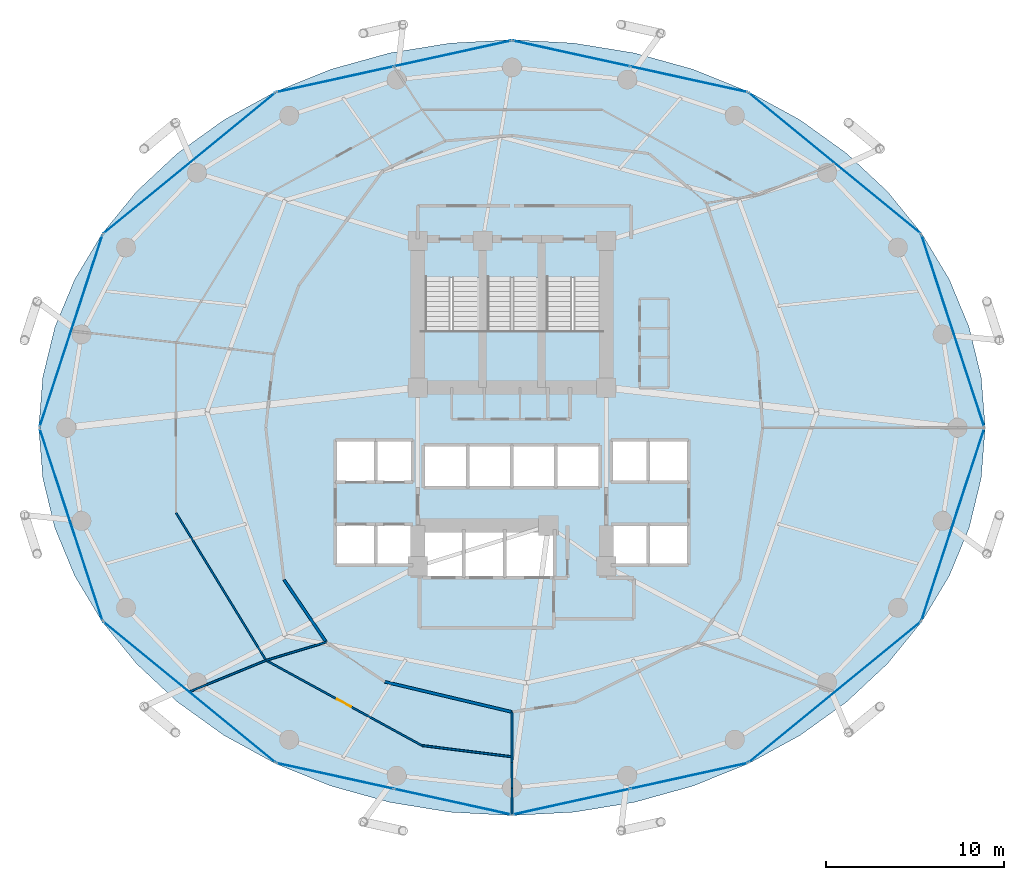
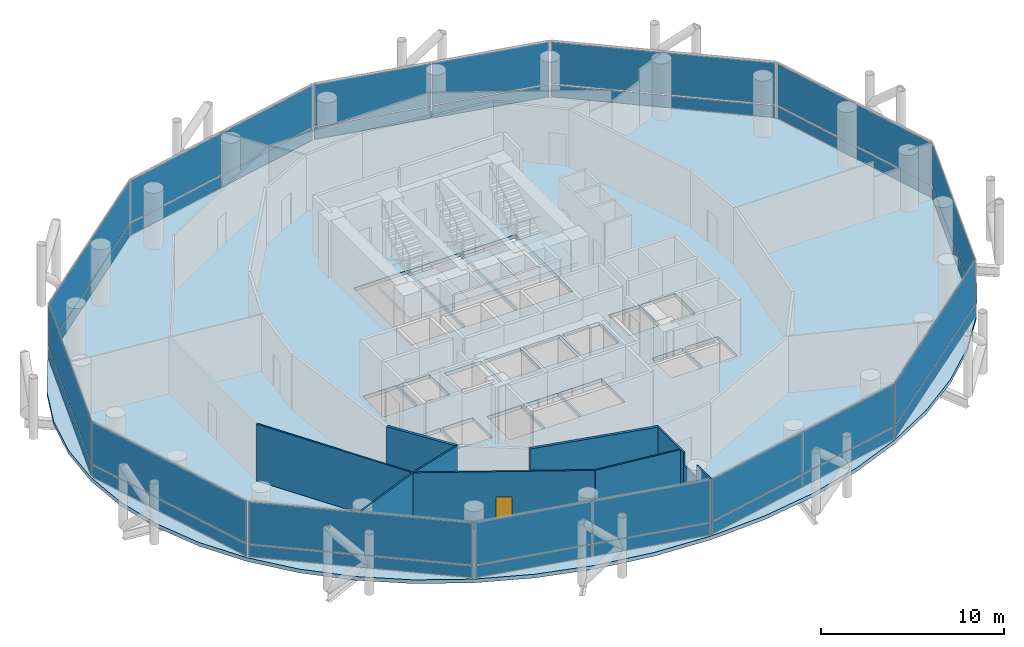
# One storey, part 20 of 25: 32 plates, 10 walls, 4 slabs, 1 door, 1 opening, 15 elements without a shape of their own.
"""IFC4 building model written with IfcOpenShell, lengths in metres."""

from ifc_helpers import new_model, si_unit, direction, frame, frame_2d, origin, origin_2d, place, context, subcontext, project, spatial, polyline, rectangle, outline, extrude, material, layer, layer_set, type_object, element, fill, aggregate, save


model = new_model("IFC4")

# Units and contexts
model_context = context("Model", 3, precision=1e-05, world=origin(), true_north=direction((0.0, 1.0)))
body_context = subcontext(model_context, "Body", "Model", "MODEL_VIEW")
ifc_project = project(units=[si_unit("LENGTHUNIT", "METRE"), si_unit("AREAUNIT", "SQUARE_METRE"), si_unit("VOLUMEUNIT", "CUBIC_METRE"), si_unit("PLANEANGLEUNIT", "RADIAN"), si_unit("MASSUNIT", "GRAM", prefix="KILO")], contexts=[model_context])

# Site, building, storey
site_placement = place(None, origin())
site = spatial("IfcSite", under=ifc_project, at=site_placement, CompositionType="ELEMENT")
building_placement = place(site_placement, origin())
building = spatial("IfcBuilding", under=site, at=building_placement, Name="Nuhasar Tower", CompositionType="ELEMENT")
storey_placement = place(building_placement, frame((0.0, 0.0, 61.5)))
storey = spatial("IfcBuildingStorey", under=building, at=storey_placement, Name="L14", CompositionType="ELEMENT", Elevation=61.5)

# Curtain wall, plate
ifc_material_1 = material(Name="Aluminium 6063-T6", Category="aluminium")
ifc_layer_1 = layer(ifc_material_1, 0.199951171875)
ifc_layer_set_1 = layer_set([ifc_layer_1], Name="Aluminium 6063-T6")
curtain_wall_type = type_object("IfcCurtainWallType", Name="CW-Z1-OFF", PredefinedType="NOTDEFINED", material=ifc_layer_set_1)
curtain_wall_1_placement = place(storey_placement, origin())
curtain_wall_1 = element("IfcCurtainWall", 1, at=curtain_wall_1_placement, inside=storey, type_object=curtain_wall_type, Name="L14 Unitised Curtain Wall 01", PredefinedType="NOTDEFINED")
ifc_material_2 = material(Name="Glass Double Low-E", Category="glass")
ifc_layer_2 = layer(ifc_material_2, 0.028076171875)
ifc_layer_set_2 = layer_set([ifc_layer_2], Name="Glass Double Low-E")
plate_type_1 = type_object("IfcPlateType", Name="CW-PANEL-GLZ", PredefinedType="CURTAIN_PANEL", material=ifc_layer_set_2)
plate_1_placement = place(storey_placement, frame((63.781005859375, 32.239990234375, 0.9326171875), z_axis=(0.0, 0.0, 1.0), x_axis=(-0.310823849997, 0.950467534571, 0.0)))
plate_1 = element("IfcPlate", 2, at=plate_1_placement, type_object=plate_type_1, Name="CW-Z1 panel 1.2", PredefinedType="CURTAIN_PANEL", context=body_context, shape_type="SweptSolid", body=[
    extrude(rectangle(XDim=11.31689453125, YDim=0.028076171875, at=origin_2d()), origin(), (0.0, 0.0, 1.0), 2.802490234375),
])

curtain_wall_2_placement = place(storey_placement, origin())
curtain_wall_2 = element("IfcCurtainWall", 3, at=curtain_wall_2_placement, inside=storey, type_object=curtain_wall_type, Name="L14 Unitised Curtain Wall 02", PredefinedType="NOTDEFINED")
plate_2_placement = place(storey_placement, frame((57.14111328125, 41.66259765625, 0.9326171875), z_axis=(0.0, 0.0, 1.0), x_axis=(-0.773542364946, 0.633744593376, 0.0)))
plate_2 = element("IfcPlate", 4, at=plate_2_placement, type_object=plate_type_1, Name="CW-Z1 panel 1.2", PredefinedType="CURTAIN_PANEL", context=body_context, shape_type="SweptSolid", body=[
    extrude(rectangle(XDim=12.438232421875, YDim=0.028076171875, at=origin_2d()), origin(), (0.0, 0.0, 1.0), 2.802490234375),
])

# Curtain wall, plates
curtain_wall_3_placement = place(storey_placement, origin())
curtain_wall_3 = element("IfcCurtainWall", 5, at=curtain_wall_3_placement, inside=storey, type_object=curtain_wall_type, Name="L14 Unitised Curtain Wall 03", PredefinedType="NOTDEFINED")
plate_3_placement = place(storey_placement, frame((48.944091796875, 46.377197265625, 0.9326171875), z_axis=(0.0, 0.0, 1.0), x_axis=(-0.976746221544, 0.214398737637, 0.0)))
plate_3 = element("IfcPlate", 6, at=plate_3_placement, type_object=plate_type_1, Name="CW-Z1 panel 1.2", PredefinedType="CURTAIN_PANEL", context=body_context, shape_type="SweptSolid", body=[
    extrude(rectangle(XDim=6.70068359375, YDim=0.028076171875, at=origin_2d()), origin(), (0.0, 0.0, 1.0), 2.802490234375),
])
plate_4_placement = place(storey_placement, frame((42.3359375, 47.827880859375, 0.9326171875), z_axis=(0.0, 0.0, 1.0), x_axis=(-0.976746221544, 0.214398737637, 0.0)))
plate_4 = element("IfcPlate", 7, at=plate_4_placement, type_object=plate_type_1, Name="CW-Z1 panel 2.2", PredefinedType="CURTAIN_PANEL", context=body_context, shape_type="SweptSolid", body=[
    extrude(rectangle(XDim=6.70068359375, YDim=0.028076171875, at=origin_2d()), origin(), (0.0, 0.0, 1.0), 2.802490234375),
])

curtain_wall_4_placement = place(storey_placement, origin())
curtain_wall_4 = element("IfcCurtainWall", 8, at=curtain_wall_4_placement, inside=storey, type_object=curtain_wall_type, Name="L14 Unitised Curtain Wall 04", PredefinedType="NOTDEFINED")
plate_5_placement = place(storey_placement, frame((35.6640625, 47.827880859375, 0.9326171875), z_axis=(0.0, 0.0, 1.0), x_axis=(-0.976746221544, -0.214398737637, 0.0)))
plate_5 = element("IfcPlate", 9, at=plate_5_placement, type_object=plate_type_1, Name="CW-Z1 panel 1.2", PredefinedType="CURTAIN_PANEL", context=body_context, shape_type="SweptSolid", body=[
    extrude(rectangle(XDim=6.70068359375, YDim=0.028076171875, at=origin_2d()), origin(), (0.0, 0.0, 1.0), 2.802490234375),
])
plate_6_placement = place(storey_placement, frame((29.055908203125, 46.377197265625, 0.9326171875), z_axis=(0.0, 0.0, 1.0), x_axis=(-0.976746221544, -0.214398737637, 0.0)))
plate_6 = element("IfcPlate", 10, at=plate_6_placement, type_object=plate_type_1, Name="CW-Z1 panel 2.2", PredefinedType="CURTAIN_PANEL", context=body_context, shape_type="SweptSolid", body=[
    extrude(rectangle(XDim=6.70068359375, YDim=0.028076171875, at=origin_2d()), origin(), (0.0, 0.0, 1.0), 2.802490234375),
])

# Curtain wall, plate
curtain_wall_5_placement = place(storey_placement, origin())
curtain_wall_5 = element("IfcCurtainWall", 11, at=curtain_wall_5_placement, inside=storey, type_object=curtain_wall_type, Name="L14 Unitised Curtain Wall 05", PredefinedType="NOTDEFINED")
plate_7_placement = place(storey_placement, frame((20.85888671875, 41.66259765625, 0.9326171875), z_axis=(0.0, 0.0, 1.0), x_axis=(-0.773542364946, -0.633744593376, 0.0)))
plate_7 = element("IfcPlate", 12, at=plate_7_placement, type_object=plate_type_1, Name="CW-Z1 panel 1.2", PredefinedType="CURTAIN_PANEL", context=body_context, shape_type="SweptSolid", body=[
    extrude(rectangle(XDim=12.438232421875, YDim=0.028076171875, at=origin_2d()), origin(), (0.0, 0.0, 1.0), 2.802490234375),
])

curtain_wall_6_placement = place(storey_placement, origin())
curtain_wall_6 = element("IfcCurtainWall", 13, at=curtain_wall_6_placement, inside=storey, type_object=curtain_wall_type, Name="L14 Unitised Curtain Wall 06", PredefinedType="NOTDEFINED")
plate_8_placement = place(storey_placement, frame((14.218994140625, 32.239990234375, 0.9326171875), z_axis=(0.0, 0.0, 1.0), x_axis=(-0.310823849997, -0.950467534571, 0.0)))
plate_8 = element("IfcPlate", 14, at=plate_8_placement, type_object=plate_type_1, Name="CW-Z1 panel 1.2", PredefinedType="CURTAIN_PANEL", context=body_context, shape_type="SweptSolid", body=[
    extrude(rectangle(XDim=11.31689453125, YDim=0.028076171875, at=origin_2d()), origin(), (0.0, 0.0, 1.0), 2.802490234375),
])

curtain_wall_7_placement = place(storey_placement, origin())
curtain_wall_7 = element("IfcCurtainWall", 15, at=curtain_wall_7_placement, inside=storey, type_object=curtain_wall_type, Name="L14 Unitised Curtain Wall 07", PredefinedType="NOTDEFINED")
plate_9_placement = place(storey_placement, frame((14.218994140625, 21.360107421875, 0.9326171875), z_axis=(0.0, 0.0, 1.0), x_axis=(0.310823849997, -0.950467534571, 0.0)))
plate_9 = element("IfcPlate", 16, at=plate_9_placement, type_object=plate_type_1, Name="CW-Z1 panel 1.2", PredefinedType="CURTAIN_PANEL", context=body_context, shape_type="SweptSolid", body=[
    extrude(rectangle(XDim=11.31689453125, YDim=0.028076171875, at=origin_2d()), origin(), (0.0, 0.0, 1.0), 2.802490234375),
])

curtain_wall_8_placement = place(storey_placement, origin())
curtain_wall_8 = element("IfcCurtainWall", 17, at=curtain_wall_8_placement, inside=storey, type_object=curtain_wall_type, Name="L14 Unitised Curtain Wall 08", PredefinedType="NOTDEFINED")
plate_10_placement = place(storey_placement, frame((20.85888671875, 11.9375, 0.9326171875), z_axis=(0.0, 0.0, 1.0), x_axis=(0.773542364946, -0.633744593376, 0.0)))
plate_10 = element("IfcPlate", 18, at=plate_10_placement, type_object=plate_type_1, Name="CW-Z1 panel 1.2", PredefinedType="CURTAIN_PANEL", context=body_context, shape_type="SweptSolid", body=[
    extrude(rectangle(XDim=12.438232421875, YDim=0.028076171875, at=origin_2d()), origin(), (0.0, 0.0, 1.0), 2.802490234375),
])

# Curtain wall, plates
curtain_wall_9_placement = place(storey_placement, origin())
curtain_wall_9 = element("IfcCurtainWall", 19, at=curtain_wall_9_placement, inside=storey, type_object=curtain_wall_type, Name="L14 Unitised Curtain Wall 09", PredefinedType="NOTDEFINED")
plate_11_placement = place(storey_placement, frame((29.055908203125, 7.22265625, 0.9326171875), z_axis=(0.0, 0.0, 1.0), x_axis=(0.976746221544, -0.214398737637, 0.0)))
plate_11 = element("IfcPlate", 20, at=plate_11_placement, type_object=plate_type_1, Name="CW-Z1 panel 1.2", PredefinedType="CURTAIN_PANEL", context=body_context, shape_type="SweptSolid", body=[
    extrude(rectangle(XDim=6.70068359375, YDim=0.028076171875, at=origin_2d()), origin(), (0.0, 0.0, 1.0), 2.802490234375),
])
plate_12_placement = place(storey_placement, frame((35.6640625, 5.772216796875, 0.9326171875), z_axis=(0.0, 0.0, 1.0), x_axis=(0.976746221544, -0.214398737637, 0.0)))
plate_12 = element("IfcPlate", 21, at=plate_12_placement, type_object=plate_type_1, Name="CW-Z1 panel 2.2", PredefinedType="CURTAIN_PANEL", context=body_context, shape_type="SweptSolid", body=[
    extrude(rectangle(XDim=6.70068359375, YDim=0.028076171875, at=origin_2d()), origin(), (0.0, 0.0, 1.0), 2.802490234375),
])

curtain_wall_10_placement = place(storey_placement, origin())
curtain_wall_10 = element("IfcCurtainWall", 22, at=curtain_wall_10_placement, inside=storey, type_object=curtain_wall_type, Name="L14 Unitised Curtain Wall 10", PredefinedType="NOTDEFINED")
plate_13_placement = place(storey_placement, frame((42.3359375, 5.772216796875, 0.9326171875), z_axis=(0.0, 0.0, 1.0), x_axis=(0.976746221544, 0.214398737637, 0.0)))
plate_13 = element("IfcPlate", 23, at=plate_13_placement, type_object=plate_type_1, Name="CW-Z1 panel 1.2", PredefinedType="CURTAIN_PANEL", context=body_context, shape_type="SweptSolid", body=[
    extrude(rectangle(XDim=6.70068359375, YDim=0.028076171875, at=origin_2d()), origin(), (0.0, 0.0, 1.0), 2.802490234375),
])
plate_14_placement = place(storey_placement, frame((48.944091796875, 7.22265625, 0.9326171875), z_axis=(0.0, 0.0, 1.0), x_axis=(0.976746221544, 0.214398737637, 0.0)))
plate_14 = element("IfcPlate", 24, at=plate_14_placement, type_object=plate_type_1, Name="CW-Z1 panel 2.2", PredefinedType="CURTAIN_PANEL", context=body_context, shape_type="SweptSolid", body=[
    extrude(rectangle(XDim=6.70068359375, YDim=0.028076171875, at=origin_2d()), origin(), (0.0, 0.0, 1.0), 2.802490234375),
])

# Curtain wall, plate
curtain_wall_11_placement = place(storey_placement, origin())
curtain_wall_11 = element("IfcCurtainWall", 25, at=curtain_wall_11_placement, inside=storey, type_object=curtain_wall_type, Name="L14 Unitised Curtain Wall 11", PredefinedType="NOTDEFINED")
plate_15_placement = place(storey_placement, frame((57.14111328125, 11.9375, 0.9326171875), z_axis=(0.0, 0.0, 1.0), x_axis=(0.773542364946, 0.633744593376, 0.0)))
plate_15 = element("IfcPlate", 26, at=plate_15_placement, type_object=plate_type_1, Name="CW-Z1 panel 1.2", PredefinedType="CURTAIN_PANEL", context=body_context, shape_type="SweptSolid", body=[
    extrude(rectangle(XDim=12.438232421875, YDim=0.028076171875, at=origin_2d()), origin(), (0.0, 0.0, 1.0), 2.802490234375),
])

curtain_wall_12_placement = place(storey_placement, origin())
curtain_wall_12 = element("IfcCurtainWall", 27, at=curtain_wall_12_placement, inside=storey, type_object=curtain_wall_type, Name="L14 Unitised Curtain Wall 12", PredefinedType="NOTDEFINED")
plate_16_placement = place(storey_placement, frame((63.781005859375, 21.360107421875, 0.9326171875), z_axis=(0.0, 0.0, 1.0), x_axis=(0.310823849997, 0.950467534571, 0.0)))
plate_16 = element("IfcPlate", 28, at=plate_16_placement, type_object=plate_type_1, Name="CW-Z1 panel 1.2", PredefinedType="CURTAIN_PANEL", context=body_context, shape_type="SweptSolid", body=[
    extrude(rectangle(XDim=11.31689453125, YDim=0.028076171875, at=origin_2d()), origin(), (0.0, 0.0, 1.0), 2.802490234375),
])

# Plate
ifc_material_3 = material(Name="Glass Spandrel", Category="glass")
ifc_layer_3 = layer(ifc_material_3, 0.035888671875)
ifc_layer_set_3 = layer_set([ifc_layer_3], Name="Glass Spandrel")
plate_type_2 = type_object("IfcPlateType", Name="CW-PANEL-SPN", PredefinedType="CURTAIN_PANEL", material=ifc_layer_set_3)
plate_17_placement = place(storey_placement, frame((63.781005859375, 32.239990234375, 0.06494140625), z_axis=(0.0, 0.0, 1.0), x_axis=(-0.310823849997, 0.950467534571, 0.0)))
plate_17 = element("IfcPlate", 29, at=plate_17_placement, type_object=plate_type_2, Name="CW-Z1 panel 1.1", PredefinedType="CURTAIN_PANEL", context=body_context, shape_type="SweptSolid", body=[
    extrude(rectangle(XDim=11.31689453125, YDim=0.035888671875, at=origin_2d()), origin(), (0.0, 0.0, 1.0), 0.802490234375),
])

aggregate(curtain_wall_1, [plate_17, plate_1])

plate_18_placement = place(storey_placement, frame((57.14111328125, 41.66259765625, 0.06494140625), z_axis=(0.0, 0.0, 1.0), x_axis=(-0.773542364946, 0.633744593376, 0.0)))
plate_18 = element("IfcPlate", 30, at=plate_18_placement, type_object=plate_type_2, Name="CW-Z1 panel 1.1", PredefinedType="CURTAIN_PANEL", context=body_context, shape_type="SweptSolid", body=[
    extrude(rectangle(XDim=12.438232421875, YDim=0.035888671875, at=origin_2d()), origin(), (0.0, 0.0, 1.0), 0.802490234375),
])

aggregate(curtain_wall_2, [plate_18, plate_2])

plate_19_placement = place(storey_placement, frame((48.944091796875, 46.377197265625, 0.06494140625), z_axis=(0.0, 0.0, 1.0), x_axis=(-0.976746221544, 0.214398737637, 0.0)))
plate_19 = element("IfcPlate", 31, at=plate_19_placement, type_object=plate_type_2, Name="CW-Z1 panel 1.1", PredefinedType="CURTAIN_PANEL", context=body_context, shape_type="SweptSolid", body=[
    extrude(rectangle(XDim=6.70068359375, YDim=0.035888671875, at=origin_2d()), origin(), (0.0, 0.0, 1.0), 0.802490234375),
])

plate_20_placement = place(storey_placement, frame((42.3359375, 47.827880859375, 0.06494140625), z_axis=(0.0, 0.0, 1.0), x_axis=(-0.976746221544, 0.214398737637, 0.0)))
plate_20 = element("IfcPlate", 32, at=plate_20_placement, type_object=plate_type_2, Name="CW-Z1 panel 2.1", PredefinedType="CURTAIN_PANEL", context=body_context, shape_type="SweptSolid", body=[
    extrude(rectangle(XDim=6.70068359375, YDim=0.035888671875, at=origin_2d()), origin(), (0.0, 0.0, 1.0), 0.802490234375),
])

aggregate(curtain_wall_3, [plate_19, plate_3, plate_20, plate_4])

plate_21_placement = place(storey_placement, frame((35.6640625, 47.827880859375, 0.06494140625), z_axis=(0.0, 0.0, 1.0), x_axis=(-0.976746221544, -0.214398737637, 0.0)))
plate_21 = element("IfcPlate", 33, at=plate_21_placement, type_object=plate_type_2, Name="CW-Z1 panel 1.1", PredefinedType="CURTAIN_PANEL", context=body_context, shape_type="SweptSolid", body=[
    extrude(rectangle(XDim=6.70068359375, YDim=0.035888671875, at=origin_2d()), origin(), (0.0, 0.0, 1.0), 0.802490234375),
])

plate_22_placement = place(storey_placement, frame((29.055908203125, 46.377197265625, 0.06494140625), z_axis=(0.0, 0.0, 1.0), x_axis=(-0.976746221544, -0.214398737637, 0.0)))
plate_22 = element("IfcPlate", 34, at=plate_22_placement, type_object=plate_type_2, Name="CW-Z1 panel 2.1", PredefinedType="CURTAIN_PANEL", context=body_context, shape_type="SweptSolid", body=[
    extrude(rectangle(XDim=6.70068359375, YDim=0.035888671875, at=origin_2d()), origin(), (0.0, 0.0, 1.0), 0.802490234375),
])

aggregate(curtain_wall_4, [plate_21, plate_5, plate_22, plate_6])

plate_23_placement = place(storey_placement, frame((20.85888671875, 41.66259765625, 0.06494140625), z_axis=(0.0, 0.0, 1.0), x_axis=(-0.773542364946, -0.633744593376, 0.0)))
plate_23 = element("IfcPlate", 35, at=plate_23_placement, type_object=plate_type_2, Name="CW-Z1 panel 1.1", PredefinedType="CURTAIN_PANEL", context=body_context, shape_type="SweptSolid", body=[
    extrude(rectangle(XDim=12.438232421875, YDim=0.035888671875, at=origin_2d()), origin(), (0.0, 0.0, 1.0), 0.802490234375),
])

aggregate(curtain_wall_5, [plate_23, plate_7])

plate_24_placement = place(storey_placement, frame((14.218994140625, 32.239990234375, 0.06494140625), z_axis=(0.0, 0.0, 1.0), x_axis=(-0.310823849997, -0.950467534571, 0.0)))
plate_24 = element("IfcPlate", 36, at=plate_24_placement, type_object=plate_type_2, Name="CW-Z1 panel 1.1", PredefinedType="CURTAIN_PANEL", context=body_context, shape_type="SweptSolid", body=[
    extrude(rectangle(XDim=11.31689453125, YDim=0.035888671875, at=origin_2d()), origin(), (0.0, 0.0, 1.0), 0.802490234375),
])

aggregate(curtain_wall_6, [plate_24, plate_8])

plate_25_placement = place(storey_placement, frame((14.218994140625, 21.360107421875, 0.06494140625), z_axis=(0.0, 0.0, 1.0), x_axis=(0.310823849997, -0.950467534571, 0.0)))
plate_25 = element("IfcPlate", 37, at=plate_25_placement, type_object=plate_type_2, Name="CW-Z1 panel 1.1", PredefinedType="CURTAIN_PANEL", context=body_context, shape_type="SweptSolid", body=[
    extrude(rectangle(XDim=11.31689453125, YDim=0.035888671875, at=origin_2d()), origin(), (0.0, 0.0, 1.0), 0.802490234375),
])

aggregate(curtain_wall_7, [plate_25, plate_9])

plate_26_placement = place(storey_placement, frame((20.85888671875, 11.9375, 0.06494140625), z_axis=(0.0, 0.0, 1.0), x_axis=(0.773542364946, -0.633744593376, 0.0)))
plate_26 = element("IfcPlate", 38, at=plate_26_placement, type_object=plate_type_2, Name="CW-Z1 panel 1.1", PredefinedType="CURTAIN_PANEL", context=body_context, shape_type="SweptSolid", body=[
    extrude(rectangle(XDim=12.438232421875, YDim=0.035888671875, at=origin_2d()), origin(), (0.0, 0.0, 1.0), 0.802490234375),
])

aggregate(curtain_wall_8, [plate_26, plate_10])

plate_27_placement = place(storey_placement, frame((29.055908203125, 7.22265625, 0.06494140625), z_axis=(0.0, 0.0, 1.0), x_axis=(0.976746221544, -0.214398737637, 0.0)))
plate_27 = element("IfcPlate", 39, at=plate_27_placement, type_object=plate_type_2, Name="CW-Z1 panel 1.1", PredefinedType="CURTAIN_PANEL", context=body_context, shape_type="SweptSolid", body=[
    extrude(rectangle(XDim=6.70068359375, YDim=0.035888671875, at=origin_2d()), origin(), (0.0, 0.0, 1.0), 0.802490234375),
])

plate_28_placement = place(storey_placement, frame((35.6640625, 5.772216796875, 0.06494140625), z_axis=(0.0, 0.0, 1.0), x_axis=(0.976746221544, -0.214398737637, 0.0)))
plate_28 = element("IfcPlate", 40, at=plate_28_placement, type_object=plate_type_2, Name="CW-Z1 panel 2.1", PredefinedType="CURTAIN_PANEL", context=body_context, shape_type="SweptSolid", body=[
    extrude(rectangle(XDim=6.70068359375, YDim=0.035888671875, at=origin_2d()), origin(), (0.0, 0.0, 1.0), 0.802490234375),
])

aggregate(curtain_wall_9, [plate_27, plate_11, plate_28, plate_12])

plate_29_placement = place(storey_placement, frame((42.3359375, 5.772216796875, 0.06494140625), z_axis=(0.0, 0.0, 1.0), x_axis=(0.976746221544, 0.214398737637, 0.0)))
plate_29 = element("IfcPlate", 41, at=plate_29_placement, type_object=plate_type_2, Name="CW-Z1 panel 1.1", PredefinedType="CURTAIN_PANEL", context=body_context, shape_type="SweptSolid", body=[
    extrude(rectangle(XDim=6.70068359375, YDim=0.035888671875, at=origin_2d()), origin(), (0.0, 0.0, 1.0), 0.802490234375),
])

plate_30_placement = place(storey_placement, frame((48.944091796875, 7.22265625, 0.06494140625), z_axis=(0.0, 0.0, 1.0), x_axis=(0.976746221544, 0.214398737637, 0.0)))
plate_30 = element("IfcPlate", 42, at=plate_30_placement, type_object=plate_type_2, Name="CW-Z1 panel 2.1", PredefinedType="CURTAIN_PANEL", context=body_context, shape_type="SweptSolid", body=[
    extrude(rectangle(XDim=6.70068359375, YDim=0.035888671875, at=origin_2d()), origin(), (0.0, 0.0, 1.0), 0.802490234375),
])

aggregate(curtain_wall_10, [plate_29, plate_13, plate_30, plate_14])

plate_31_placement = place(storey_placement, frame((57.14111328125, 11.9375, 0.06494140625), z_axis=(0.0, 0.0, 1.0), x_axis=(0.773542364946, 0.633744593376, 0.0)))
plate_31 = element("IfcPlate", 43, at=plate_31_placement, type_object=plate_type_2, Name="CW-Z1 panel 1.1", PredefinedType="CURTAIN_PANEL", context=body_context, shape_type="SweptSolid", body=[
    extrude(rectangle(XDim=12.438232421875, YDim=0.035888671875, at=origin_2d()), origin(), (0.0, 0.0, 1.0), 0.802490234375),
])

aggregate(curtain_wall_11, [plate_31, plate_15])

plate_32_placement = place(storey_placement, frame((63.781005859375, 21.360107421875, 0.06494140625), z_axis=(0.0, 0.0, 1.0), x_axis=(0.310823849997, 0.950467534571, 0.0)))
plate_32 = element("IfcPlate", 44, at=plate_32_placement, type_object=plate_type_2, Name="CW-Z1 panel 1.1", PredefinedType="CURTAIN_PANEL", context=body_context, shape_type="SweptSolid", body=[
    extrude(rectangle(XDim=11.31689453125, YDim=0.035888671875, at=origin_2d()), origin(), (0.0, 0.0, 1.0), 0.802490234375),
])

aggregate(curtain_wall_12, [plate_32, plate_16])

# Stair, slab
ifc_material_4 = material(Name="Concrete C45/55", Category="concrete")
stair_type_1 = type_object("IfcStairType", Name="STR-ST-01-2F-24R-1688", PredefinedType="HALF_TURN_STAIR", material=ifc_material_4)
stair_1_placement = place(storey_placement, origin())
stair_1 = element("IfcStair", 45, at=stair_1_placement, inside=storey, type_object=stair_type_1, Name="L14 Exit Stair ST-01", PredefinedType="HALF_TURN_STAIR")
ifc_layer_4 = layer(ifc_material_4, 0.239990234375)
ifc_layer_set_4 = layer_set([ifc_layer_4], Name="Concrete C45/55")
slab_type_1 = type_object("IfcSlabType", Name="SLB-STAIR-LND-240", PredefinedType="LANDING", material=ifc_layer_set_4)
slab_1_placement = place(storey_placement, frame((0.0, 0.0, 1.784912109375)))
slab_1 = element("IfcSlab", 46, at=slab_1_placement, type_object=slab_type_1, Name="ST-01 landing 1", PredefinedType="LANDING", context=body_context, shape_type="SweptSolid", body=[
    extrude(outline(polyline([(33.699951171875, 28.75), (37.35009765625, 28.75), (37.35009765625, 32.239990234375), (33.699951171875, 32.239990234375), (33.699951171875, 28.75)])), origin(), (0.0, 0.0, 1.0), 0.239990234375),
])
aggregate(stair_1, [slab_1])

stair_type_2 = type_object("IfcStairType", Name="STR-ST-03-2F-24R-1688", PredefinedType="HALF_TURN_STAIR", material=ifc_material_4)
stair_2_placement = place(storey_placement, origin())
stair_2 = element("IfcStair", 47, at=stair_2_placement, inside=storey, type_object=stair_type_2, Name="L14 Exit Stair ST-03", PredefinedType="HALF_TURN_STAIR")
slab_2_placement = place(storey_placement, frame((0.0, 0.0, 1.784912109375)))
slab_2 = element("IfcSlab", 48, at=slab_2_placement, type_object=slab_type_1, Name="ST-03 landing 1", PredefinedType="LANDING", context=body_context, shape_type="SweptSolid", body=[
    extrude(outline(polyline([(37.35009765625, 28.75), (40.64990234375, 28.75), (40.64990234375, 32.239990234375), (37.35009765625, 32.239990234375), (37.35009765625, 28.75)])), origin(), (0.0, 0.0, 1.0), 0.239990234375),
])
aggregate(stair_2, [slab_2])

stair_type_3 = type_object("IfcStairType", Name="STR-ST-02-2F-24R-1688", PredefinedType="HALF_TURN_STAIR", material=ifc_material_4)
stair_3_placement = place(storey_placement, origin())
stair_3 = element("IfcStair", 49, at=stair_3_placement, inside=storey, type_object=stair_type_3, Name="L14 Exit Stair ST-02", PredefinedType="HALF_TURN_STAIR")
slab_3_placement = place(storey_placement, frame((0.0, 0.0, 1.784912109375)))
slab_3 = element("IfcSlab", 50, at=slab_3_placement, type_object=slab_type_1, Name="ST-02 landing 1", PredefinedType="LANDING", context=body_context, shape_type="SweptSolid", body=[
    extrude(outline(polyline([(40.64990234375, 28.75), (44.300048828125, 28.75), (44.300048828125, 32.239990234375), (40.64990234375, 32.239990234375), (40.64990234375, 28.75)])), origin(), (0.0, 0.0, 1.0), 0.239990234375),
])
aggregate(stair_3, [slab_3])

# Slab
ifc_layer_5 = layer(ifc_material_4, 0.25)
ifc_layer_set_5 = layer_set([ifc_layer_5], Name="Concrete C45/55")
slab_type_2 = type_object("IfcSlabType", Name="SLB-Z1B-250", PredefinedType="FLOOR", material=ifc_layer_set_5)
slab_4_placement = place(storey_placement, frame((0.0, 0.0, -0.25)))
element("IfcSlab", 51, at=slab_4_placement, inside=storey, type_object=slab_type_2, Name="L14 Structural Slab", PredefinedType="FLOOR", context=body_context, shape_type="SweptSolid", body=[
    extrude(outline(polyline([(65.60009765625, 26.800048828125), (65.3720703125, 29.64501953125), (64.694091796875, 32.44189453125), (63.574951171875, 35.14208984375), (62.035888671875, 37.699951171875), (60.10302734375, 40.071044921875), (57.80908203125, 42.215087890625), (55.193115234375, 44.094970703125), (52.300048828125, 45.678955078125), (49.178955078125, 46.94091796875), (45.885009765625, 47.85693359375), (42.471923828125, 48.4130859375), (39.0, 48.60009765625), (35.528076171875, 48.4130859375), (32.114990234375, 47.85693359375), (28.821044921875, 46.94091796875), (25.699951171875, 45.678955078125), (22.806884765625, 44.094970703125), (20.19091796875, 42.215087890625), (17.89697265625, 40.071044921875), (15.964111328125, 37.699951171875), (14.425048828125, 35.14208984375), (13.305908203125, 32.44189453125), (12.6279296875, 29.64501953125), (12.39990234375, 26.800048828125), (12.6279296875, 23.955078125), (13.305908203125, 21.157958984375), (14.425048828125, 18.4580078125), (15.964111328125, 15.89990234375), (17.89697265625, 13.529052734375), (20.19091796875, 11.385009765625), (22.806884765625, 9.5048828125), (25.699951171875, 7.9208984375), (28.821044921875, 6.658935546875), (32.114990234375, 5.742919921875), (35.528076171875, 5.18701171875), (39.0, 5.0), (42.471923828125, 5.18701171875), (45.885009765625, 5.742919921875), (49.178955078125, 6.658935546875), (52.300048828125, 7.9208984375), (55.193115234375, 9.5048828125), (57.80908203125, 11.385009765625), (60.10302734375, 13.529052734375), (62.035888671875, 15.89990234375), (63.574951171875, 18.4580078125), (64.694091796875, 21.157958984375), (65.3720703125, 23.955078125), (65.60009765625, 26.800048828125)]), holes=[polyline([(33.8798828125, 35.25), (37.300048828125, 35.25), (37.300048828125, 29.0), (33.8798828125, 29.0), (33.8798828125, 35.25)]), polyline([(37.39990234375, 35.25), (40.60009765625, 35.25), (40.60009765625, 29.0), (37.39990234375, 29.0), (37.39990234375, 35.25)]), polyline([(40.699951171875, 35.25), (44.1201171875, 35.25), (44.1201171875, 29.0), (40.699951171875, 29.0), (40.699951171875, 35.25)]), polyline([(29.14990234375, 26.050048828125), (31.300048828125, 26.050048828125), (31.300048828125, 23.800048828125), (29.14990234375, 23.800048828125), (29.14990234375, 26.050048828125)]), polyline([(31.39990234375, 26.050048828125), (33.35009765625, 26.050048828125), (33.35009765625, 23.800048828125), (31.39990234375, 23.800048828125), (31.39990234375, 26.050048828125)]), polyline([(29.14990234375, 21.300048828125), (31.300048828125, 21.300048828125), (31.300048828125, 19.14990234375), (29.14990234375, 19.14990234375), (29.14990234375, 21.300048828125)]), polyline([(31.39990234375, 21.300048828125), (33.35009765625, 21.300048828125), (33.35009765625, 19.14990234375), (31.39990234375, 19.14990234375), (31.39990234375, 21.300048828125)]), polyline([(44.64990234375, 26.050048828125), (46.60009765625, 26.050048828125), (46.60009765625, 23.800048828125), (44.64990234375, 23.800048828125), (44.64990234375, 26.050048828125)]), polyline([(46.699951171875, 26.050048828125), (48.85009765625, 26.050048828125), (48.85009765625, 23.800048828125), (46.699951171875, 23.800048828125), (46.699951171875, 26.050048828125)]), polyline([(44.64990234375, 21.300048828125), (46.60009765625, 21.300048828125), (46.60009765625, 19.14990234375), (44.64990234375, 19.14990234375), (44.64990234375, 21.300048828125)]), polyline([(46.699951171875, 21.300048828125), (48.85009765625, 21.300048828125), (48.85009765625, 19.14990234375), (46.699951171875, 19.14990234375), (46.699951171875, 21.300048828125)]), polyline([(34.10009765625, 25.75), (36.43994140625, 25.75), (36.43994140625, 23.5), (34.10009765625, 23.5), (34.10009765625, 25.75)]), polyline([(36.580078125, 25.75), (38.919921875, 25.75), (38.919921875, 23.5), (36.580078125, 23.5), (36.580078125, 25.75)]), polyline([(39.06005859375, 25.75), (41.39990234375, 25.75), (41.39990234375, 23.5), (39.06005859375, 23.5), (39.06005859375, 25.75)]), polyline([(41.5400390625, 25.75), (43.8798828125, 25.75), (43.8798828125, 23.5), (41.5400390625, 23.5), (41.5400390625, 25.75)]), polyline([(34.050048828125, 21.0), (36.25, 21.0), (36.25, 18.449951171875), (34.050048828125, 18.449951171875), (34.050048828125, 21.0)]), polyline([(36.35009765625, 21.0), (38.550048828125, 21.0), (38.550048828125, 18.449951171875), (36.35009765625, 18.449951171875), (36.35009765625, 21.0)]), polyline([(38.64990234375, 21.0), (41.320068359375, 21.0), (41.320068359375, 18.449951171875), (38.64990234375, 18.449951171875), (38.64990234375, 21.0)])]), origin(), (0.0, 0.0, 1.0), 0.25),
])

# Walls
ifc_material_5 = material(Name="Gypsum Board", Category="gypsum")
ifc_layer_6 = layer(ifc_material_5, 0.159912109375)
ifc_layer_set_6 = layer_set([ifc_layer_6], Name="Gypsum Board")
wall_type_1 = type_object("IfcWallType", Name="WL-CORR-160", PredefinedType="PARTITIONING", material=ifc_layer_set_6)
wall_1_placement = place(storey_placement, frame((26.181884765625, 18.2548828125, 0.0), z_axis=(0.0, 0.0, 1.0), x_axis=(0.560652063277, -0.828051486288, 0.0)))
element("IfcWall", 52, at=wall_1_placement, inside=storey, type_object=wall_type_1, Name="L14 Interior Partition CORR-28", PredefinedType="PARTITIONING", context=body_context, shape_type="SweptSolid", body=[
    extrude(rectangle(XDim=4.239990234375, YDim=0.159912109375, at=frame_2d((2.1201171875, 0.0))), origin(), (0.0, 0.0, 1.0), 3.800048828125),
])
wall_2_placement = place(storey_placement, frame((31.85595703125, 12.513916015625, 0.0), z_axis=(0.0, 0.0, 1.0), x_axis=(0.973024133383, -0.230703350332, 0.0)))
element("IfcWall", 53, at=wall_2_placement, inside=storey, type_object=wall_type_1, Name="L14 Interior Partition CORR-32", PredefinedType="PARTITIONING", context=body_context, shape_type="SweptSolid", body=[
    extrude(rectangle(XDim=7.342041015625, YDim=0.159912109375, at=frame_2d((3.6708984375, 0.0))), origin(), (0.0, 0.0, 1.0), 3.800048828125),
])
ifc_layer_7 = layer(ifc_material_1, 0.10009765625)
ifc_layer_set_7 = layer_set([ifc_layer_7], Name="Aluminium 6063-T6")
wall_type_2 = type_object("IfcWallType", Name="WL-MOVABLE-100", PredefinedType="MOVABLE", material=ifc_layer_set_7)
wall_3_placement = place(storey_placement, frame((20.115966796875, 22.011962890625, 0.0), z_axis=(0.0, 0.0, 1.0), x_axis=(0.520904998728, -0.853614656798, 0.0)))
element("IfcWall", 54, at=wall_3_placement, inside=storey, type_object=wall_type_2, Name="L14 Interior Partition OMID-04-26", PredefinedType="MOVABLE", context=body_context, shape_type="SweptSolid", body=[
    extrude(rectangle(XDim=9.7138671875, YDim=0.10009765625, at=frame_2d((4.85693359375, 0.0))), origin(), (0.0, 0.0, 1.0), 3.800048828125),
])
wall_4_placement = place(storey_placement, frame((28.55908203125, 14.743896484375, 0.0), z_axis=(0.0, 0.0, 1.0), x_axis=(-0.957121944774, -0.289685316907, 0.0)))
element("IfcWall", 55, at=wall_4_placement, inside=storey, type_object=wall_type_2, Name="L14 Interior Partition ORAD-30-S1", PredefinedType="MOVABLE", context=body_context, shape_type="SweptSolid", body=[
    extrude(rectangle(XDim=3.53466796875, YDim=0.10009765625, at=frame_2d((1.767333984375, 0.0))), origin(), (0.0, 0.0, 1.0), 3.800048828125),
])
wall_5_placement = place(storey_placement, frame((25.176025390625, 13.719970703125, 0.0), z_axis=(0.0, 0.0, 1.0), x_axis=(-0.925407732675, -0.378972991526, 0.0)))
element("IfcWall", 56, at=wall_5_placement, inside=storey, type_object=wall_type_2, Name="L14 Interior Partition ORAD-30-S2", PredefinedType="MOVABLE", context=body_context, shape_type="SweptSolid", body=[
    extrude(rectangle(XDim=4.638916015625, YDim=0.10009765625, at=frame_2d((2.3193359375, 0.0))), origin(), (0.0, 0.0, 1.0), 3.800048828125),
])

# Wall, opening, door
wall_6_placement = place(storey_placement, frame((33.93994140625, 8.931884765625, 0.0), z_axis=(0.0, 0.0, 1.0), x_axis=(-0.877568372218, 0.479451511712, 0.0)))
wall_6 = element("IfcWall", 57, at=wall_6_placement, inside=storey, type_object=wall_type_2, Name="L14 Interior Partition OMID-05-30", PredefinedType="MOVABLE", context=body_context, shape_type="SweptSolid", body=[
    extrude(rectangle(XDim=9.986572265625, YDim=0.10009765625, at=frame_2d((4.9931640625, 0.0))), origin(), (0.0, 0.0, 1.0), 3.800048828125),
])
opening_placement = place(wall_6_placement, frame((4.54296875, 0.0, 0.0)))
opening = element("IfcOpeningElement", 58, at=opening_placement, cuts=wall_6, Name="Opening DR-01", PredefinedType="OPENING", context=body_context, shape_type="SweptSolid", body=[
    extrude(rectangle(XDim=0.89990234375, YDim=2.10009765625, at=frame_2d((0.449951171875, 1.050048828125))), frame((0.0, 0.06005859375, 0.0), z_axis=(0.0, -1.0, 0.0), x_axis=(1.0, 0.0, 0.0)), (0.0, 0.0, 1.0), 0.1201171875),
])
ifc_material_6 = material(Name="Timber Oak", Category="wood")
door_type = type_object("IfcDoorType", Name="DR-ROOM-900", OperationType="NOTDEFINED", PredefinedType="DOOR", material=ifc_material_6)
door_placement = place(opening_placement, origin())
door = element("IfcDoor", 59, at=door_placement, inside=storey, type_object=door_type, Name="L14 Econometrics Research Office Inner Door", OperationType="SINGLE_SWING_LEFT", OverallHeight=2.10009765625, OverallWidth=0.89990234375, PredefinedType="DOOR", context=body_context, shape_type="SweptSolid", body=[
    extrude(rectangle(XDim=0.89990234375, YDim=2.10009765625, at=frame_2d((0.449951171875, 1.050048828125))), frame((0.0, 0.02490234375, 0.0), z_axis=(0.0, -1.0, 0.0), x_axis=(1.0, 0.0, 0.0)), (0.0, 0.0, 1.0), 0.050048828125),
])
fill(opening, door)

# Walls
wall_7_placement = place(storey_placement, frame((33.93994140625, 8.931884765625, 0.0), z_axis=(0.0, 0.0, 1.0), x_axis=(0.992341094961, -0.123527937132, 0.0)))
element("IfcWall", 60, at=wall_7_placement, inside=storey, type_object=wall_type_2, Name="L14 Interior Partition OMID-05-34", PredefinedType="MOVABLE", context=body_context, shape_type="SweptSolid", body=[
    extrude(rectangle(XDim=5.09912109375, YDim=0.10009765625, at=frame_2d((2.549560546875, 0.0))), origin(), (0.0, 0.0, 1.0), 3.800048828125),
])
wall_8_placement = place(storey_placement, frame((39.0, 10.820068359375, 0.0), z_axis=(0.0, 0.0, 1.0), x_axis=(0.0, -1.0, 0.0)))
element("IfcWall", 61, at=wall_8_placement, inside=storey, type_object=wall_type_2, Name="L14 Interior Partition ORAD-36", PredefinedType="MOVABLE", context=body_context, shape_type="SweptSolid", body=[
    extrude(rectangle(XDim=2.85009765625, YDim=0.10009765625, at=frame_2d((1.425048828125, 0.0))), origin(), (0.0, 0.0, 1.0), 3.800048828125),
])
wall_9_placement = place(storey_placement, frame((39.0, 7.969970703125, 0.0), z_axis=(0.0, 0.0, 1.0), x_axis=(0.0, -1.0, 0.0)))
element("IfcWall", 62, at=wall_9_placement, inside=storey, type_object=wall_type_2, Name="L14 Interior Partition ORAD-36", PredefinedType="MOVABLE", context=body_context, shape_type="SweptSolid", body=[
    extrude(rectangle(XDim=1.427001953125, YDim=0.10009765625, at=frame_2d((0.71337890625, 0.0))), origin(), (0.0, 0.0, 1.0), 2.93994140625),
])
wall_10_placement = place(storey_placement, frame((39.0, 6.54296875, 0.0), z_axis=(0.0, 0.0, 1.0), x_axis=(0.0, -1.0, 0.0)))
element("IfcWall", 63, at=wall_10_placement, inside=storey, type_object=wall_type_2, Name="L14 Interior Partition ORAD-36", PredefinedType="MOVABLE", context=body_context, shape_type="SweptSolid", body=[
    extrude(rectangle(XDim=1.468017578125, YDim=0.10009765625, at=frame_2d((0.73388671875, 0.0))), origin(), (0.0, 0.0, 1.0), 3.800048828125),
])

save(model, "model.ifc")
